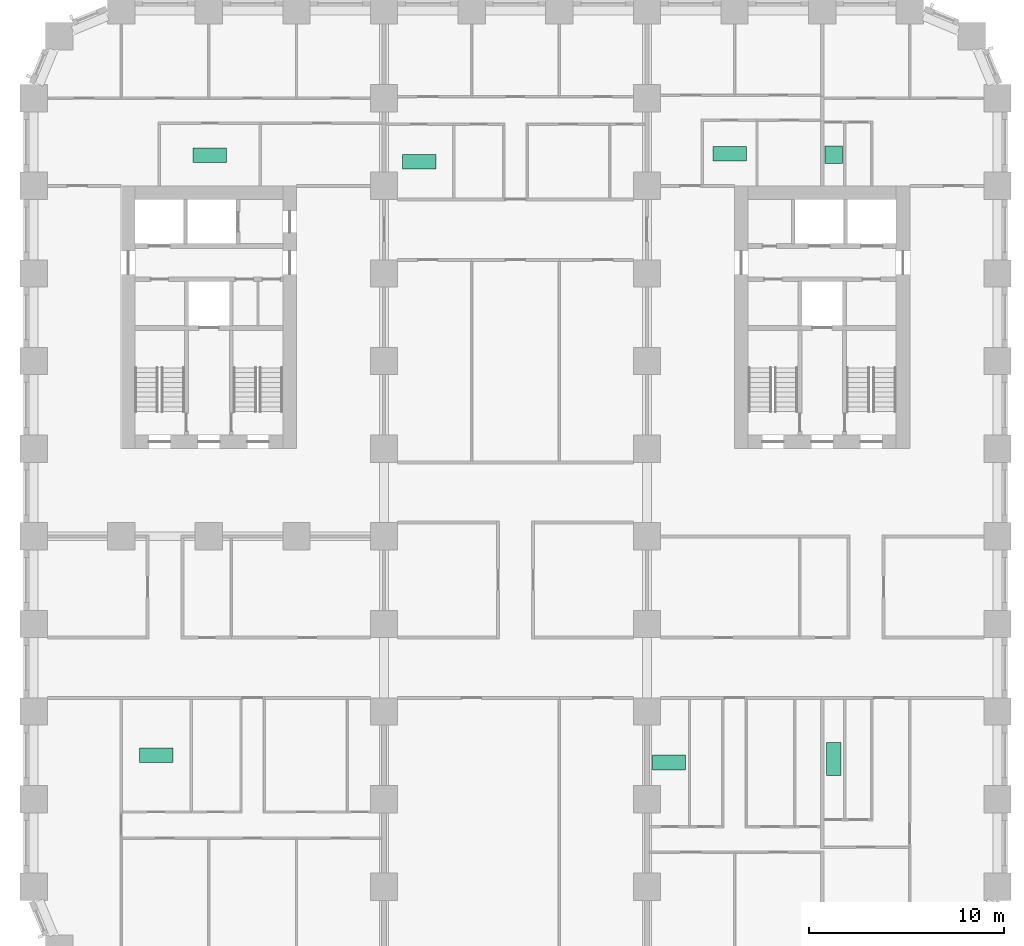
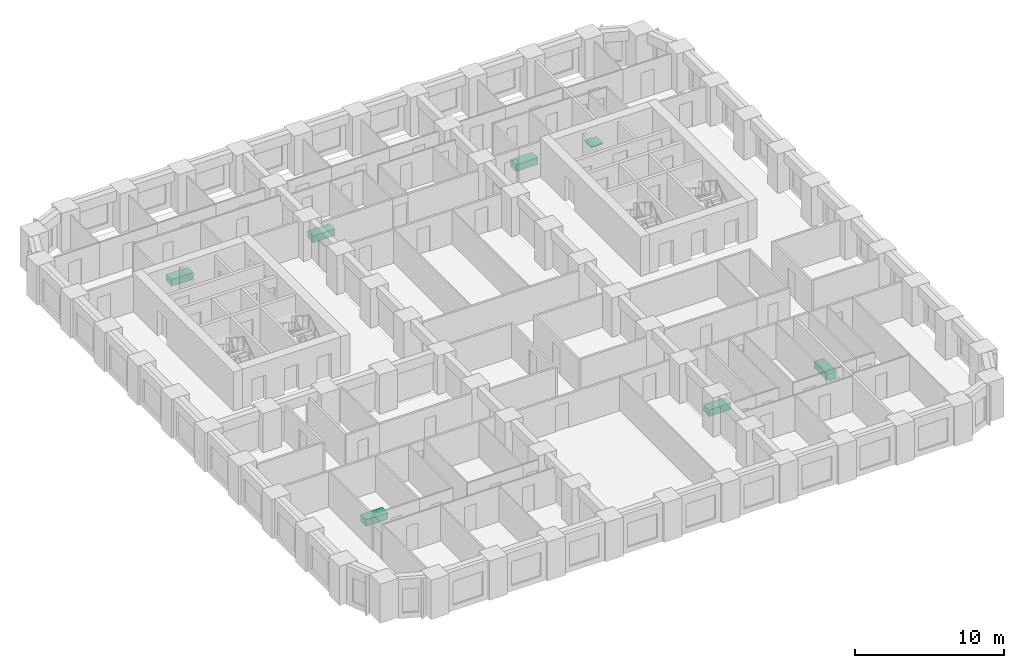
# One storey, part 13 of 13: 7 sanitary terminals.
"""IFC4 building model written with IfcOpenShell, lengths in metres."""

import ifcopenshell
import ifcopenshell.guid

model = None  # the IFC model being written
_history = None  # IfcOwnerHistory: only IFC2X3 demands one
_inside = {}  # id of a spatial element -> (the spatial element, [elements in it])
_under = {}  # id of a project, library or spatial element -> (it, [spatial elements below it])
_declared = {}  # id of a project -> (the project, [libraries it declares])
_typed = {}  # id of a type object -> (the type object, [elements of that type])
_made_of = {}  # id of a material, layer set ... -> (it, [elements and type objects made of it])


def new_model(schema):
    """Start an empty IFC model of exactly this schema.

    Asked for "IFC4X3", IfcOpenShell would pick the latest addendum, in which some entities
    have other attributes; the version numbers below select the first issue.
    IFC2X3 requires an IfcOwnerHistory on every rooted entity: one is made here for all.
    """
    global model, _history
    if schema == "IFC4X3":
        model = ifcopenshell.file(schema_version=(4, 3, 0, 0))
    else:
        model = ifcopenshell.file(schema=schema)
    _inside.clear()
    _under.clear()
    _declared.clear()
    _typed.clear()
    _made_of.clear()
    _history = None
    if model.schema == "IFC2X3":
        org = make("IfcOrganization", Name="unknown")
        user = make(
            "IfcPersonAndOrganization",
            ThePerson=make("IfcPerson", FamilyName="unknown"),
            TheOrganization=org,
        )
        app = make(
            "IfcApplication",
            ApplicationDeveloper=org,
            Version="unknown",
            ApplicationFullName="unknown",
            ApplicationIdentifier="unknown",
        )
        _history = make(
            "IfcOwnerHistory",
            OwningUser=user,
            OwningApplication=app,
            ChangeAction="ADDED",
            CreationDate=0,
        )
    return model


def make(cls, **values):
    """One entity of the class cls with the attributes given. An attribute that is None is left unset."""
    return model.create_entity(
        cls, **{name: value for name, value in values.items() if value is not None}
    )


def rooted(cls, **values):
    """An entity with a GlobalId (a new one), such as an element, a storey or a relation."""
    return make(cls, GlobalId=ifcopenshell.guid.new(), OwnerHistory=_history, **values)


def si_unit(unit_type, name, prefix=None):
    """IfcSIUnit, for example si_unit("LENGTHUNIT", "METRE", prefix="MILLI")."""
    return make("IfcSIUnit", UnitType=unit_type, Prefix=prefix, Name=name)


def assignment(units):
    """IfcUnitAssignment: the units of a project."""
    return None if units is None else make("IfcUnitAssignment", Units=units)


def point(xyz):
    """IfcCartesianPoint."""
    return None if xyz is None else make("IfcCartesianPoint", Coordinates=xyz)


def direction(xyz):
    """IfcDirection."""
    return None if xyz is None else make("IfcDirection", DirectionRatios=xyz)


def frame(location, z_axis=None, x_axis=None):
    """IfcAxis2Placement3D, a coordinate frame: its origin and axes. An axis left out is left unset."""
    return make(
        "IfcAxis2Placement3D",
        Location=point(location),
        Axis=direction(z_axis),
        RefDirection=direction(x_axis),
    )


def frame_2d(location, x_axis=None):
    """IfcAxis2Placement2D, a coordinate frame in the plane: its origin and x axis."""
    return make(
        "IfcAxis2Placement2D", Location=point(location), RefDirection=direction(x_axis)
    )


def origin():
    """The frame at (0, 0, 0) with its axes left unset."""
    return frame((0.0, 0.0, 0.0))


def origin_2d():
    """The frame at (0, 0) in the plane with its x axis left unset."""
    return frame_2d((0.0, 0.0))


def place(relative_to, where):
    """IfcLocalPlacement: puts the frame where relative to a parent placement (None: the world)."""
    return make(
        "IfcLocalPlacement", PlacementRelTo=relative_to, RelativePlacement=where
    )


def context(
    kind, dimensions, precision=None, world=None, true_north=None, identifier=None
):
    """IfcGeometricRepresentationContext, for example the 3D "Model" context."""
    return make(
        "IfcGeometricRepresentationContext",
        ContextIdentifier=identifier,
        ContextType=kind,
        CoordinateSpaceDimension=dimensions,
        Precision=precision,
        WorldCoordinateSystem=world,
        TrueNorth=true_north,
    )


def subcontext(parent, identifier, kind, view, scale=None):
    """IfcGeometricRepresentationSubContext, for example "Body" below "Model"."""
    return make(
        "IfcGeometricRepresentationSubContext",
        ContextIdentifier=identifier,
        ContextType=kind,
        ParentContext=parent,
        TargetScale=scale,
        TargetView=view,
    )


def project(units=None, contexts=None):
    """IfcProject with its units and contexts."""
    return rooted(
        "IfcProject",
        Name="project",
        RepresentationContexts=contexts,
        UnitsInContext=assignment(units),
    )


def spatial(cls, under=None, at=None, **own):
    """A site, building, storey or space (cls), placed at a placement, below another one or the project."""
    s = rooted(cls, ObjectPlacement=at, **own)
    if under is not None:
        _under.setdefault(under.id(), (under, []))[1].append(s)
    return s


def profile(cls, at=None, kind="AREA", **sizes):
    """A parametric profile (cls). Its sizes go by their IFC names, for example OverallWidth=200.0."""
    return make(cls, ProfileType=kind, Position=at, **sizes)


def rectangle(**sizes):
    """IfcRectangleProfileDef."""
    return profile("IfcRectangleProfileDef", **sizes)


def extrude(swept, where, along, depth):
    """IfcExtrudedAreaSolid: the profile swept, set in the frame where, extruded along a direction by depth."""
    return make(
        "IfcExtrudedAreaSolid",
        SweptArea=swept,
        Position=where,
        ExtrudedDirection=direction(along),
        Depth=depth,
    )


def shape(context_of_items, identifier, shape_type, items):
    """IfcShapeRepresentation: the items that make up one representation, for example the "Body"."""
    return make(
        "IfcShapeRepresentation",
        ContextOfItems=context_of_items,
        RepresentationIdentifier=identifier,
        RepresentationType=shape_type,
        Items=items,
    )


def material(Name=None, Category=None):
    """IfcMaterial."""
    return make("IfcMaterial", Name=Name, Category=Category)


def made_of(thing, what):
    """Note that an element or type object is made of a material, layer set ...; save() writes the relation."""
    if what is not None:
        _made_of.setdefault(what.id(), (what, []))[1].append(thing)
    return thing


def type_object(cls, material=None, **own):
    """A type object (cls), such as IfcWallType, which elements share."""
    return made_of(rooted(cls, **own), material)


def element(
    cls,
    number,
    at=None,
    inside=None,
    cuts=None,
    type_object=None,
    material=None,
    context=None,
    identifier="Body",
    shape_type=None,
    held_by="IfcProductDefinitionShape",
    body=None,
    shapes=None,
    **own,
):
    """One element of the class cls, such as IfcWall. Its Tag is "e" and its number.

    at: its placement. inside: the storey or other place that contains it. cuts: it is an
    opening in that element (IfcRelVoidsElement). A single representation is given by context,
    identifier, shape_type and body (its items); several are given by shapes. held_by: the class
    of the entity that holds the representations. save() writes the other relations.
    """
    e = rooted(cls, Tag="e%d" % number, ObjectPlacement=at, **own)
    if body is not None:
        shapes = [shape(context, identifier, shape_type, body)]
    if shapes is not None:
        e.Representation = make(held_by, Representations=shapes)
    if inside is not None:
        _inside.setdefault(inside.id(), (inside, []))[1].append(e)
    if cuts is not None:
        rooted(
            "IfcRelVoidsElement", RelatingBuildingElement=cuts, RelatedOpeningElement=e
        )
    if type_object is not None:
        _typed.setdefault(type_object.id(), (type_object, []))[1].append(e)
    return made_of(e, material)


def aggregate(whole, parts):
    """IfcRelAggregates: a whole, such as a stair, and the parts it consists of."""
    return rooted("IfcRelAggregates", RelatingObject=whole, RelatedObjects=parts)


def save(model, path):
    """Write the relations noted so far, then the file.

    IfcRelAggregates (storeys below a building ...), IfcRelContainedInSpatialStructure (elements
    in a storey), IfcRelDefinesByType, IfcRelAssociatesMaterial and IfcRelDeclares: one each for
    every whole, place, type object, material and project.
    """
    for whole, parts in _under.values():
        aggregate(whole, parts)
    for where, things in _inside.values():
        rooted(
            "IfcRelContainedInSpatialStructure",
            RelatedElements=things,
            RelatingStructure=where,
        )
    for kind, things in _typed.values():
        rooted("IfcRelDefinesByType", RelatedObjects=things, RelatingType=kind)
    for what, things in _made_of.values():
        rooted("IfcRelAssociatesMaterial", RelatedObjects=things, RelatingMaterial=what)
    for by, libraries in _declared.values():
        rooted("IfcRelDeclares", RelatingContext=by, RelatedDefinitions=libraries)
    model.write(path)


model = new_model("IFC4")

# Units and contexts
model_context = context("Model", 3, precision=1e-05, world=origin(), true_north=direction((0.0, 1.0)))
body_context = subcontext(model_context, "Body", "Model", "MODEL_VIEW")
ifc_project = project(units=[si_unit("LENGTHUNIT", "METRE"), si_unit("AREAUNIT", "SQUARE_METRE"), si_unit("VOLUMEUNIT", "CUBIC_METRE"), si_unit("PLANEANGLEUNIT", "RADIAN"), si_unit("MASSUNIT", "GRAM", prefix="KILO")], contexts=[model_context])

# Site, building, storey
site_placement = place(None, origin())
site = spatial("IfcSite", under=ifc_project, at=site_placement, CompositionType="ELEMENT")
building_placement = place(site_placement, origin())
building = spatial("IfcBuilding", under=site, at=building_placement, Name="Girih Gate Residences", CompositionType="ELEMENT")
storey_placement = place(building_placement, frame((0.0, 0.0, 49.60009765625)))
storey = spatial("IfcBuildingStorey", under=building, at=storey_placement, Name="L12", CompositionType="ELEMENT", Elevation=49.60009765625)

# Sanitary terminals
ifc_material = material(Name="Acrylic")
sanitary_terminal_type_1 = type_object("IfcSanitaryTerminalType", Name="Bath 1700", PredefinedType="BATH", material=ifc_material)
for number, where, z_axis, x_axis, name in (
    (1, (6.300048828125, 11.263916015625, 0.0), (0.0, 0.0, 1.0), (1.0, 0.0, 0.0), "Bath 1700 L12"),
    (2, (9.047119140625, 42.0791015625, 0.0), (0.0, 0.0, 1.0), (1.0, 0.0, 0.0), "Bath 1700 L12"),
):
    element("IfcSanitaryTerminal", number, at=place(storey_placement, frame(where, z_axis=z_axis, x_axis=x_axis)), inside=storey, type_object=sanitary_terminal_type_1, Name=name, PredefinedType="BATH", context=body_context, shape_type="SweptSolid", body=[
        extrude(rectangle(XDim=1.699951171875, YDim=0.75, at=origin_2d()), origin(), (0.0, 0.0, 1.0), 0.550048828125),
    ])
sanitary_terminal_1_placement = place(storey_placement, frame((41.097900390625, 11.06396484375, 0.0), z_axis=(0.0, 0.0, 1.0), x_axis=(1.0, 0.0, 0.0)))
element("IfcSanitaryTerminal", 3, at=sanitary_terminal_1_placement, inside=storey, type_object=sanitary_terminal_type_1, Name="Bath 1700 L12", PredefinedType="BATH", context=body_context, shape_type="SweptSolid", body=[
    extrude(rectangle(XDim=0.75, YDim=1.699951171875, at=origin_2d()), origin(), (0.0, 0.0, 1.0), 0.550048828125),
])
for number, where, z_axis, x_axis, name in (
    (4, (32.623046875, 10.884033203125, 0.0), (0.0, 0.0, 1.0), (1.0, 0.0, 0.0), "Bath 1700 L12"),
    (5, (35.75, 42.154052734375, 0.0), (0.0, 0.0, 1.0), (1.0, 0.0, 0.0), "Bath 1700 L12"),
    (6, (19.804931640625, 41.736083984375, 0.0), (0.0, 0.0, 1.0), (1.0, 0.0, 0.0), "Bath 1700 L12"),
):
    element("IfcSanitaryTerminal", number, at=place(storey_placement, frame(where, z_axis=z_axis, x_axis=x_axis)), inside=storey, type_object=sanitary_terminal_type_1, Name=name, PredefinedType="BATH", context=body_context, shape_type="SweptSolid", body=[
        extrude(rectangle(XDim=1.699951171875, YDim=0.75, at=origin_2d()), origin(), (0.0, 0.0, 1.0), 0.550048828125),
    ])
sanitary_terminal_type_2 = type_object("IfcSanitaryTerminalType", Name="Shower tray 900", PredefinedType="SHOWER", material=ifc_material)
sanitary_terminal_2_placement = place(storey_placement, frame((41.097900390625, 42.09912109375, -0.000244140625), z_axis=(0.0, 0.0, 1.0), x_axis=(1.0, 0.0, 0.0)))
element("IfcSanitaryTerminal", 7, at=sanitary_terminal_2_placement, inside=storey, type_object=sanitary_terminal_type_2, Name="Shower tray 900 L12", PredefinedType="SHOWER", context=body_context, shape_type="SweptSolid", body=[
    extrude(rectangle(XDim=0.89990234375, YDim=0.89990234375, at=origin_2d()), origin(), (0.0, 0.0, 1.0), 0.10009765625),
])

save(model, "model.ifc")
